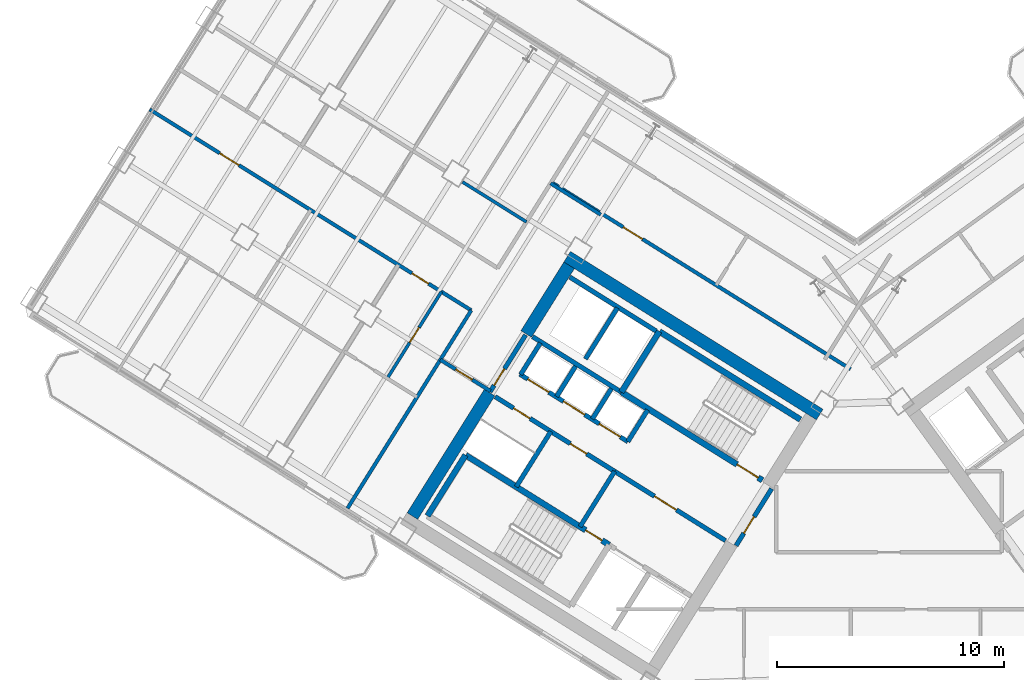
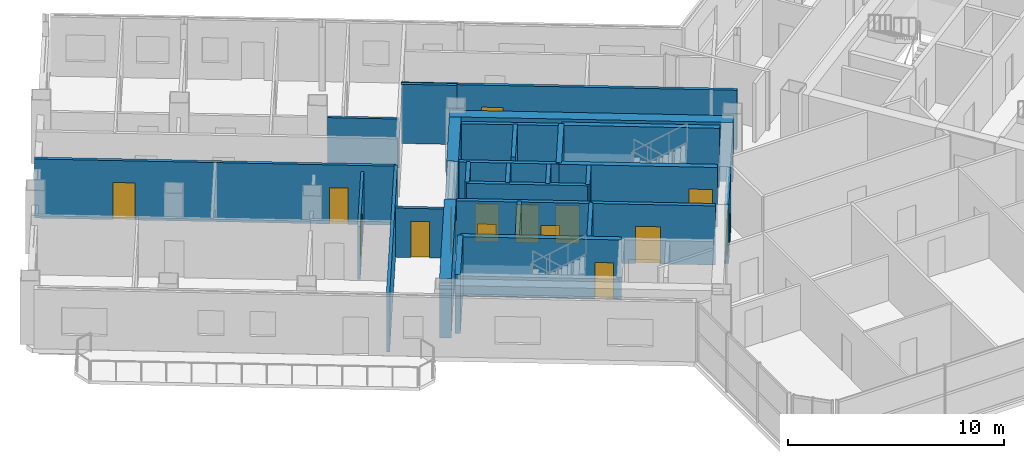
# One storey, part 12 of 21: 29 walls, 15 doors, 15 openings.
"""IFC4 building model written with IfcOpenShell, lengths in metres."""

import ifcopenshell
import ifcopenshell.guid

model = None  # the IFC model being written
_history = None  # IfcOwnerHistory: only IFC2X3 demands one
_inside = {}  # id of a spatial element -> (the spatial element, [elements in it])
_under = {}  # id of a project, library or spatial element -> (it, [spatial elements below it])
_declared = {}  # id of a project -> (the project, [libraries it declares])
_typed = {}  # id of a type object -> (the type object, [elements of that type])
_made_of = {}  # id of a material, layer set ... -> (it, [elements and type objects made of it])


def new_model(schema):
    """Start an empty IFC model of exactly this schema.

    Asked for "IFC4X3", IfcOpenShell would pick the latest addendum, in which some entities
    have other attributes; the version numbers below select the first issue.
    IFC2X3 requires an IfcOwnerHistory on every rooted entity: one is made here for all.
    """
    global model, _history
    if schema == "IFC4X3":
        model = ifcopenshell.file(schema_version=(4, 3, 0, 0))
    else:
        model = ifcopenshell.file(schema=schema)
    _inside.clear()
    _under.clear()
    _declared.clear()
    _typed.clear()
    _made_of.clear()
    _history = None
    if model.schema == "IFC2X3":
        org = make("IfcOrganization", Name="unknown")
        user = make(
            "IfcPersonAndOrganization",
            ThePerson=make("IfcPerson", FamilyName="unknown"),
            TheOrganization=org,
        )
        app = make(
            "IfcApplication",
            ApplicationDeveloper=org,
            Version="unknown",
            ApplicationFullName="unknown",
            ApplicationIdentifier="unknown",
        )
        _history = make(
            "IfcOwnerHistory",
            OwningUser=user,
            OwningApplication=app,
            ChangeAction="ADDED",
            CreationDate=0,
        )
    return model


def make(cls, **values):
    """One entity of the class cls with the attributes given. An attribute that is None is left unset."""
    return model.create_entity(
        cls, **{name: value for name, value in values.items() if value is not None}
    )


def rooted(cls, **values):
    """An entity with a GlobalId (a new one), such as an element, a storey or a relation."""
    return make(cls, GlobalId=ifcopenshell.guid.new(), OwnerHistory=_history, **values)


def si_unit(unit_type, name, prefix=None):
    """IfcSIUnit, for example si_unit("LENGTHUNIT", "METRE", prefix="MILLI")."""
    return make("IfcSIUnit", UnitType=unit_type, Prefix=prefix, Name=name)


def assignment(units):
    """IfcUnitAssignment: the units of a project."""
    return None if units is None else make("IfcUnitAssignment", Units=units)


def point(xyz):
    """IfcCartesianPoint."""
    return None if xyz is None else make("IfcCartesianPoint", Coordinates=xyz)


def direction(xyz):
    """IfcDirection."""
    return None if xyz is None else make("IfcDirection", DirectionRatios=xyz)


def frame(location, z_axis=None, x_axis=None):
    """IfcAxis2Placement3D, a coordinate frame: its origin and axes. An axis left out is left unset."""
    return make(
        "IfcAxis2Placement3D",
        Location=point(location),
        Axis=direction(z_axis),
        RefDirection=direction(x_axis),
    )


def frame_2d(location, x_axis=None):
    """IfcAxis2Placement2D, a coordinate frame in the plane: its origin and x axis."""
    return make(
        "IfcAxis2Placement2D", Location=point(location), RefDirection=direction(x_axis)
    )


def origin():
    """The frame at (0, 0, 0) with its axes left unset."""
    return frame((0.0, 0.0, 0.0))


def place(relative_to, where):
    """IfcLocalPlacement: puts the frame where relative to a parent placement (None: the world)."""
    return make(
        "IfcLocalPlacement", PlacementRelTo=relative_to, RelativePlacement=where
    )


def context(
    kind, dimensions, precision=None, world=None, true_north=None, identifier=None
):
    """IfcGeometricRepresentationContext, for example the 3D "Model" context."""
    return make(
        "IfcGeometricRepresentationContext",
        ContextIdentifier=identifier,
        ContextType=kind,
        CoordinateSpaceDimension=dimensions,
        Precision=precision,
        WorldCoordinateSystem=world,
        TrueNorth=true_north,
    )


def subcontext(parent, identifier, kind, view, scale=None):
    """IfcGeometricRepresentationSubContext, for example "Body" below "Model"."""
    return make(
        "IfcGeometricRepresentationSubContext",
        ContextIdentifier=identifier,
        ContextType=kind,
        ParentContext=parent,
        TargetScale=scale,
        TargetView=view,
    )


def project(units=None, contexts=None):
    """IfcProject with its units and contexts."""
    return rooted(
        "IfcProject",
        Name="project",
        RepresentationContexts=contexts,
        UnitsInContext=assignment(units),
    )


def spatial(cls, under=None, at=None, **own):
    """A site, building, storey or space (cls), placed at a placement, below another one or the project."""
    s = rooted(cls, ObjectPlacement=at, **own)
    if under is not None:
        _under.setdefault(under.id(), (under, []))[1].append(s)
    return s


def profile(cls, at=None, kind="AREA", **sizes):
    """A parametric profile (cls). Its sizes go by their IFC names, for example OverallWidth=200.0."""
    return make(cls, ProfileType=kind, Position=at, **sizes)


def rectangle(**sizes):
    """IfcRectangleProfileDef."""
    return profile("IfcRectangleProfileDef", **sizes)


def extrude(swept, where, along, depth):
    """IfcExtrudedAreaSolid: the profile swept, set in the frame where, extruded along a direction by depth."""
    return make(
        "IfcExtrudedAreaSolid",
        SweptArea=swept,
        Position=where,
        ExtrudedDirection=direction(along),
        Depth=depth,
    )


def shape(context_of_items, identifier, shape_type, items):
    """IfcShapeRepresentation: the items that make up one representation, for example the "Body"."""
    return make(
        "IfcShapeRepresentation",
        ContextOfItems=context_of_items,
        RepresentationIdentifier=identifier,
        RepresentationType=shape_type,
        Items=items,
    )


def source(mapping_origin, context_of_items, identifier, shape_type, items):
    """IfcRepresentationMap: a shape defined once, which mapped items show again and again."""
    return make(
        "IfcRepresentationMap",
        MappingOrigin=mapping_origin,
        MappedRepresentation=shape(context_of_items, identifier, shape_type, items),
    )


def transform(
    local_origin,
    x_axis=None,
    y_axis=None,
    z_axis=None,
    scale=None,
    scale2=None,
    scale3=None,
    uniform=True,
):
    """IfcCartesianTransformationOperator3D, or its non-uniform kind. x_axis, y_axis, z_axis: its Axis1, 2, 3."""
    if uniform:
        return make(
            "IfcCartesianTransformationOperator3D",
            Axis1=direction(x_axis),
            Axis2=direction(y_axis),
            LocalOrigin=point(local_origin),
            Scale=scale,
            Axis3=direction(z_axis),
        )
    return make(
        "IfcCartesianTransformationOperator3DnonUniform",
        Axis1=direction(x_axis),
        Axis2=direction(y_axis),
        LocalOrigin=point(local_origin),
        Scale=scale,
        Axis3=direction(z_axis),
        Scale2=scale2,
        Scale3=scale3,
    )


def mapped(mapping_source, mapping_target):
    """IfcMappedItem: shows the shape of a source again, moved by a transform."""
    return make(
        "IfcMappedItem", MappingSource=mapping_source, MappingTarget=mapping_target
    )


def material(Name=None, Category=None):
    """IfcMaterial."""
    return make("IfcMaterial", Name=Name, Category=Category)


def layer(
    of_material, thickness, ventilated=None, Name=None, Category=None, Priority=None
):
    """IfcMaterialLayer: one layer of a wall or slab, of a material (None: an air gap)."""
    return make(
        "IfcMaterialLayer",
        Material=of_material,
        LayerThickness=thickness,
        IsVentilated=ventilated,
        Name=Name,
        Category=Category,
        Priority=Priority,
    )


def layer_set(layers, Name=None):
    """IfcMaterialLayerSet."""
    return make("IfcMaterialLayerSet", MaterialLayers=layers, LayerSetName=Name)


def made_of(thing, what):
    """Note that an element or type object is made of a material, layer set ...; save() writes the relation."""
    if what is not None:
        _made_of.setdefault(what.id(), (what, []))[1].append(thing)
    return thing


def type_object(cls, material=None, **own):
    """A type object (cls), such as IfcWallType, which elements share."""
    return made_of(rooted(cls, **own), material)


def element(
    cls,
    number,
    at=None,
    inside=None,
    cuts=None,
    type_object=None,
    material=None,
    context=None,
    identifier="Body",
    shape_type=None,
    held_by="IfcProductDefinitionShape",
    body=None,
    shapes=None,
    **own,
):
    """One element of the class cls, such as IfcWall. Its Tag is "e" and its number.

    at: its placement. inside: the storey or other place that contains it. cuts: it is an
    opening in that element (IfcRelVoidsElement). A single representation is given by context,
    identifier, shape_type and body (its items); several are given by shapes. held_by: the class
    of the entity that holds the representations. save() writes the other relations.
    """
    e = rooted(cls, Tag="e%d" % number, ObjectPlacement=at, **own)
    if body is not None:
        shapes = [shape(context, identifier, shape_type, body)]
    if shapes is not None:
        e.Representation = make(held_by, Representations=shapes)
    if inside is not None:
        _inside.setdefault(inside.id(), (inside, []))[1].append(e)
    if cuts is not None:
        rooted(
            "IfcRelVoidsElement", RelatingBuildingElement=cuts, RelatedOpeningElement=e
        )
    if type_object is not None:
        _typed.setdefault(type_object.id(), (type_object, []))[1].append(e)
    return made_of(e, material)


def fill(opening, filler):
    """IfcRelFillsElement: the door or window that sits in an opening."""
    return rooted(
        "IfcRelFillsElement",
        RelatingOpeningElement=opening,
        RelatedBuildingElement=filler,
    )


def aggregate(whole, parts):
    """IfcRelAggregates: a whole, such as a stair, and the parts it consists of."""
    return rooted("IfcRelAggregates", RelatingObject=whole, RelatedObjects=parts)


def save(model, path):
    """Write the relations noted so far, then the file.

    IfcRelAggregates (storeys below a building ...), IfcRelContainedInSpatialStructure (elements
    in a storey), IfcRelDefinesByType, IfcRelAssociatesMaterial and IfcRelDeclares: one each for
    every whole, place, type object, material and project.
    """
    for whole, parts in _under.values():
        aggregate(whole, parts)
    for where, things in _inside.values():
        rooted(
            "IfcRelContainedInSpatialStructure",
            RelatedElements=things,
            RelatingStructure=where,
        )
    for kind, things in _typed.values():
        rooted("IfcRelDefinesByType", RelatedObjects=things, RelatingType=kind)
    for what, things in _made_of.values():
        rooted("IfcRelAssociatesMaterial", RelatedObjects=things, RelatingMaterial=what)
    for by, libraries in _declared.values():
        rooted("IfcRelDeclares", RelatingContext=by, RelatedDefinitions=libraries)
    model.write(path)


model = new_model("IFC4")

# Units and contexts
model_context = context("Model", 3, precision=1e-05, world=origin(), true_north=direction((0.0, 1.0)))
body_context = subcontext(model_context, "Body", "Model", "MODEL_VIEW")
ifc_project = project(units=[si_unit("LENGTHUNIT", "METRE"), si_unit("AREAUNIT", "SQUARE_METRE"), si_unit("VOLUMEUNIT", "CUBIC_METRE"), si_unit("PLANEANGLEUNIT", "RADIAN"), si_unit("MASSUNIT", "GRAM", prefix="KILO")], contexts=[model_context])

# Site, building, storey
site_placement = place(None, origin())
site = spatial("IfcSite", under=ifc_project, at=site_placement, CompositionType="ELEMENT")
building_placement = place(site_placement, origin())
building = spatial("IfcBuilding", under=site, at=building_placement, Name="Tlacorven Tower", CompositionType="ELEMENT")
storey_placement = place(building_placement, frame((0.0, 0.0, 119.699951171875)))
storey = spatial("IfcBuildingStorey", under=building, at=storey_placement, Name="L30", CompositionType="ELEMENT", Elevation=119.699951171875)

# Walls
ifc_material_1 = material(Name="Concrete C60/75", Category="concrete")
ifc_layer_1 = layer(ifc_material_1, 0.550048828125)
ifc_layer_set_1 = layer_set([ifc_layer_1], Name="Concrete C60/75")
wall_type_1 = type_object("IfcWallType", Name="WL-COR-550", PredefinedType="SHEAR", material=ifc_layer_set_1)
wall_1_placement = place(storey_placement, frame((40.572998046875, 24.010009765625, 0.0), z_axis=(0.0, 0.0, 1.0), x_axis=(-0.848047359947, 0.529920442413, 0.0)))
element("IfcWall", 1, at=wall_1_placement, inside=storey, type_object=wall_type_1, Name="L30 W core shear wall S1", PredefinedType="SHEAR", context=body_context, shape_type="SweptSolid", body=[
    extrude(rectangle(XDim=13.139892578125, YDim=0.550048828125, at=frame_2d((6.56982421875, 0.0))), origin(), (0.0, 0.0, 1.0), 3.35009765625),
])
wall_2_placement = place(storey_placement, frame((29.517333984375, 30.59423828125, 0.0), z_axis=(0.0, 0.0, 1.0), x_axis=(-0.529906864564, -0.848055844204, 0.0)))
element("IfcWall", 2, at=wall_2_placement, inside=storey, type_object=wall_type_1, Name="L30 W core end wall E2.1", PredefinedType="SHEAR", context=body_context, shape_type="SweptSolid", body=[
    extrude(rectangle(XDim=3.5751953125, YDim=0.550048828125, at=frame_2d((1.78759765625, 0.0))), origin(), (0.0, 0.0, 1.0), 3.35009765625),
])
wall_3_placement = place(storey_placement, frame((26.006591796875, 24.975830078125, 0.0), z_axis=(0.0, 0.0, 1.0), x_axis=(-0.529923795287, -0.848045264823, 0.0)))
element("IfcWall", 3, at=wall_3_placement, inside=storey, type_object=wall_type_1, Name="L30 W core end wall E2.2", PredefinedType="SHEAR", context=body_context, shape_type="SweptSolid", body=[
    extrude(rectangle(XDim=6.425048828125, YDim=0.550048828125, at=frame_2d((3.21240234375, 0.0))), origin(), (0.0, 0.0, 1.0), 3.35009765625),
])
ifc_material_2 = material(Name="Gypsum plasterboard acoustic partition", Category="gypsum")
ifc_layer_2 = layer(ifc_material_2, 0.159912109375)
ifc_layer_set_2 = layer_set([ifc_layer_2], Name="Gypsum plasterboard acoustic partition")
wall_type_2 = type_object("IfcWallType", Name="WL-DEM-160", PredefinedType="PARTITIONING", material=ifc_layer_set_2)
wall_4_placement = place(storey_placement, frame((30.91357421875, 32.82861328125, 0.0), z_axis=(0.0, 0.0, 1.0), x_axis=(-0.848008813643, 0.529982124211, 0.0)))
element("IfcWall", 4, at=wall_4_placement, inside=storey, type_object=wall_type_2, Name="L30 partition 43", PredefinedType="PARTITIONING", context=body_context, shape_type="SweptSolid", body=[
    extrude(rectangle(XDim=2.610107421875, YDim=0.159912109375, at=frame_2d((1.30517578125, 0.0))), origin(), (0.0, 0.0, 1.0), 3.340087890625),
])

# Wall, opening, door
wall_5_placement = place(storey_placement, frame((26.048828125, 25.043701171875, 0.0), z_axis=(0.0, 0.0, 1.0), x_axis=(-0.848050851465, 0.529914854792, 0.0)))
wall_5 = element("IfcWall", 5, at=wall_5_placement, inside=storey, type_object=wall_type_2, Name="L30 partition 44", PredefinedType="PARTITIONING", context=body_context, shape_type="SweptSolid", body=[
    extrude(rectangle(XDim=2.60986328125, YDim=0.159912109375, at=frame_2d((1.304931640625, 0.0))), origin(), (0.0, 0.0, 1.0), 2.775146484375),
])
opening_1_placement = place(wall_5_placement, frame((0.949951171875, 0.0, 0.0)))
opening_1 = element("IfcOpeningElement", 6, at=opening_1_placement, cuts=wall_5, Name="Opening D19", PredefinedType="OPENING", context=body_context, shape_type="SweptSolid", body=[
    extrude(rectangle(XDim=0.860107421875, YDim=2.050048828125, at=frame_2d((0.43017578125, 1.02490234375))), frame((0.0, 0.08984375, 0.0), z_axis=(0.0, -1.0, 0.0), x_axis=(1.0, 0.0, 0.0)), (0.0, 0.0, 1.0), 0.179931640625),
])
ifc_material_3 = material(Name="Fire-rated steel door assembly", Category="steel")
door_type_1 = type_object("IfcDoorType", Name="DR-RSR-FD60-0860", OperationType="NOTDEFINED", PredefinedType="DOOR", material=ifc_material_3)
shared_shape_1 = source(origin(), body_context, "Body", "SweptSolid", [
    extrude(rectangle(XDim=0.860107421875, YDim=2.050048828125, at=frame_2d((0.43017578125, 1.02490234375))), frame((0.0, 0.02490234375, 0.0), z_axis=(0.0, -1.0, 0.0), x_axis=(1.0, 0.0, 0.0)), (0.0, 0.0, 1.0), 0.050048828125),
])
door_1_placement = place(opening_1_placement, origin())
door_1 = element("IfcDoor", 7, at=door_1_placement, inside=storey, type_object=door_type_1, Name="L30 door 020", OperationType="SINGLE_SWING_RIGHT", OverallHeight=2.050048828125, OverallWidth=0.860107421875, PredefinedType="DOOR", context=body_context, shape_type="MappedRepresentation", body=[
    mapped(shared_shape_1, transform((0.0, 0.0, 0.0), scale=1.0)),
])
fill(opening_1, door_1)

# Wall
wall_6_placement = place(storey_placement, frame((25.197509765625, 28.606201171875, 0.0), z_axis=(0.0, 0.0, 1.0), x_axis=(-0.529926497642, -0.848043576178, 0.0)))
element("IfcWall", 8, at=wall_6_placement, inside=storey, type_object=wall_type_2, Name="L30 partition 46", PredefinedType="PARTITIONING", context=body_context, shape_type="SweptSolid", body=[
    extrude(rectangle(XDim=10.300048828125, YDim=0.159912109375, at=frame_2d((5.14990234375, 0.0))), origin(), (0.0, 0.0, 1.0), 3.340087890625),
])

# Wall, openings, doors
wall_7_placement = place(storey_placement, frame((25.197509765625, 28.606201171875, 0.0), z_axis=(0.0, 0.0, 1.0), x_axis=(-0.848052408131, 0.529912363569, 0.0)))
wall_7 = element("IfcWall", 9, at=wall_7_placement, inside=storey, type_object=wall_type_2, Name="L30 Wing W Corridor North Wall", PredefinedType="PARTITIONING", context=body_context, shape_type="SweptSolid", body=[
    extrude(rectangle(XDim=16.72998046875, YDim=0.159912109375, at=frame_2d((8.364990234375, 0.0))), origin(), (0.0, 0.0, 1.0), 3.340087890625),
])
opening_2_placement = place(wall_7_placement, frame((2.219970703125, 0.0, 0.0)))
opening_2 = element("IfcOpeningElement", 10, at=opening_2_placement, cuts=wall_7, Name="Opening D19", PredefinedType="OPENING", context=body_context, shape_type="SweptSolid", body=[
    extrude(rectangle(XDim=0.860107421875, YDim=2.050048828125, at=frame_2d((0.43017578125, 1.02490234375))), frame((0.0, 0.08984375, 0.0), z_axis=(0.0, -1.0, 0.0), x_axis=(1.0, 0.0, 0.0)), (0.0, 0.0, 1.0), 0.179931640625),
])
opening_3_placement = place(wall_7_placement, frame((12.083984375, 0.0, 0.0)))
opening_3 = element("IfcOpeningElement", 11, at=opening_3_placement, cuts=wall_7, Name="Opening D11", PredefinedType="OPENING", context=body_context, shape_type="SweptSolid", body=[
    extrude(rectangle(XDim=1.0, YDim=2.10009765625, at=frame_2d((0.5, 1.050048828125))), frame((0.0, 0.08984375, 0.0), z_axis=(0.0, -1.0, 0.0), x_axis=(1.0, 0.0, 0.0)), (0.0, 0.0, 1.0), 0.179931640625),
])
door_2_placement = place(opening_2_placement, origin())
door_2 = element("IfcDoor", 12, at=door_2_placement, inside=storey, type_object=door_type_1, Name="L30 door 022", OperationType="SINGLE_SWING_LEFT", OverallHeight=2.050048828125, OverallWidth=0.860107421875, PredefinedType="DOOR", context=body_context, shape_type="MappedRepresentation", body=[
    mapped(shared_shape_1, transform((0.0, 0.0, 0.0), scale=1.0)),
])
fill(opening_2, door_2)
door_type_2 = type_object("IfcDoorType", Name="DR-FLT-FD60-1000", OperationType="NOTDEFINED", PredefinedType="DOOR", material=ifc_material_3)
shared_shape_2 = source(origin(), body_context, "Body", "SweptSolid", [
    extrude(rectangle(XDim=1.0, YDim=2.10009765625, at=frame_2d((0.5, 1.050048828125))), frame((0.0, 0.02490234375, 0.0), z_axis=(0.0, -1.0, 0.0), x_axis=(1.0, 0.0, 0.0)), (0.0, 0.0, 1.0), 0.050048828125),
])
door_3_placement = place(opening_3_placement, origin())
door_3 = element("IfcDoor", 13, at=door_3_placement, inside=storey, type_object=door_type_2, Name="L30 door 026", OperationType="SINGLE_SWING_LEFT", OverallHeight=2.10009765625, OverallWidth=1.0, PredefinedType="DOOR", context=body_context, shape_type="MappedRepresentation", body=[
    mapped(shared_shape_2, transform((0.0, 0.0, 0.0), scale=1.0)),
])
fill(opening_3, door_3)

# Wall, opening, door
wall_8_placement = place(storey_placement, frame((41.93603515625, 26.011962890625, 0.0), z_axis=(0.0, 0.0, 1.0), x_axis=(-0.848051154596, 0.529914369676, 0.0)))
wall_8 = element("IfcWall", 14, at=wall_8_placement, inside=storey, type_object=wall_type_2, Name="L30 partition 66", PredefinedType="PARTITIONING", context=body_context, shape_type="SweptSolid", body=[
    extrude(rectangle(XDim=15.56982421875, YDim=0.159912109375, at=frame_2d((7.784912109375, 0.0))), origin(), (0.0, 0.0, 1.0), 3.340087890625),
])
opening_4_placement = place(wall_8_placement, frame((10.830078125, 0.0, 0.0)))
opening_4 = element("IfcOpeningElement", 15, at=opening_4_placement, cuts=wall_8, Name="Opening D11", PredefinedType="OPENING", context=body_context, shape_type="SweptSolid", body=[
    extrude(rectangle(XDim=1.0, YDim=2.10009765625, at=frame_2d((0.5, 1.050048828125))), frame((0.0, 0.08984375, 0.0), z_axis=(0.0, -1.0, 0.0), x_axis=(1.0, 0.0, 0.0)), (0.0, 0.0, 1.0), 0.179931640625),
])
door_4_placement = place(opening_4_placement, origin())
door_4 = element("IfcDoor", 16, at=door_4_placement, inside=storey, type_object=door_type_2, Name="L30 door 040", OperationType="SINGLE_SWING_LEFT", OverallHeight=2.10009765625, OverallWidth=1.0, PredefinedType="DOOR", context=body_context, shape_type="MappedRepresentation", body=[
    mapped(shared_shape_2, transform((0.0, 0.0, 0.0), scale=1.0)),
])
fill(opening_4, door_4)

ifc_material_4 = material(Name="Moisture-resistant gypsum plumbing wall", Category="gypsum")
ifc_layer_3 = layer(ifc_material_4, 0.139892578125)
ifc_layer_set_3 = layer_set([ifc_layer_3], Name="Moisture-resistant gypsum plumbing wall")
wall_type_3 = type_object("IfcWallType", Name="WL-PLM-140", PredefinedType="PLUMBINGWALL", material=ifc_layer_set_3)
wall_9_placement = place(storey_placement, frame((23.883056640625, 29.427490234375, 0.0), z_axis=(0.0, 0.0, 1.0), x_axis=(-0.529950281337, -0.84802871373, 0.0)))
wall_9 = element("IfcWall", 17, at=wall_9_placement, inside=storey, type_object=wall_type_3, Name="L30 partition 52", PredefinedType="PLUMBINGWALL", context=body_context, shape_type="SweptSolid", body=[
    extrude(rectangle(XDim=4.510009765625, YDim=0.139892578125, at=frame_2d((2.2548828125, 0.0))), origin(), (0.0, 0.0, 1.0), 2.9951171875),
])
opening_5_placement = place(wall_9_placement, frame((1.864990234375, 0.0, 0.0)))
opening_5 = element("IfcOpeningElement", 18, at=opening_5_placement, cuts=wall_9, Name="Opening D22", PredefinedType="OPENING", context=body_context, shape_type="SweptSolid", body=[
    extrude(rectangle(XDim=0.780029296875, YDim=2.050048828125, at=frame_2d((0.39013671875, 1.02490234375))), frame((0.0, 0.080078125, 0.0), z_axis=(0.0, -1.0, 0.0), x_axis=(1.0, 0.0, 0.0)), (0.0, 0.0, 1.0), 0.159912109375),
])
ifc_material_5 = material(Name="Powder-coated aluminium and timber door", Category="wood")
door_type_3 = type_object("IfcDoorType", Name="DR-INT-WET-0780", OperationType="NOTDEFINED", PredefinedType="DOOR", material=ifc_material_5)
shared_shape_3 = source(origin(), body_context, "Body", "SweptSolid", [
    extrude(rectangle(XDim=0.780029296875, YDim=2.050048828125, at=frame_2d((0.39013671875, 1.02490234375))), frame((0.0, 0.02490234375, 0.0), z_axis=(0.0, -1.0, 0.0), x_axis=(1.0, 0.0, 0.0)), (0.0, 0.0, 1.0), 0.050048828125),
])
door_5_placement = place(opening_5_placement, origin())
door_5 = element("IfcDoor", 19, at=door_5_placement, inside=storey, type_object=door_type_3, Name="L30 door 024", OperationType="SINGLE_SWING_LEFT", OverallHeight=2.050048828125, OverallWidth=0.780029296875, PredefinedType="DOOR", context=body_context, shape_type="MappedRepresentation", body=[
    mapped(shared_shape_3, transform((0.0, 0.0, 0.0), scale=1.0)),
])
fill(opening_5, door_5)

# Wall
wall_10_placement = place(storey_placement, frame((27.635009765625, 32.50732421875, 0.0), z_axis=(0.0, 0.0, 1.0), x_axis=(-0.848064240775, 0.529893426567, 0.0)))
element("IfcWall", 20, at=wall_10_placement, inside=storey, type_object=wall_type_3, Name="L30 partition 60", PredefinedType="PLUMBINGWALL", context=body_context, shape_type="SweptSolid", body=[
    extrude(rectangle(XDim=3.327880859375, YDim=0.139892578125, at=frame_2d((1.6640625, 0.0))), origin(), (0.0, 0.0, 1.0), 2.775146484375),
])

# Wall, opening, door
ifc_material_6 = material(Name="Concrete C40/50", Category="concrete")
ifc_layer_4 = layer(ifc_material_6, 0.199951171875)
ifc_layer_set_4 = layer_set([ifc_layer_4], Name="Concrete C40/50")
wall_type_4 = type_object("IfcWallType", Name="WL-SHF-200", PredefinedType="STANDARD", material=ifc_layer_set_4)
wall_11_placement = place(storey_placement, frame((36.416748046875, 18.447265625, 0.0), z_axis=(0.0, 0.0, 1.0), x_axis=(-0.848064879198, 0.529892404805, 0.0)))
wall_11 = element("IfcWall", 21, at=wall_11_placement, inside=storey, type_object=wall_type_4, Name="L30 Core W Smoke Lobby Wall", PredefinedType="STANDARD", context=body_context, shape_type="SweptSolid", body=[
    extrude(rectangle(XDim=5.76806640625, YDim=0.199951171875, at=frame_2d((2.884033203125, 0.0))), origin(), (0.0, 0.0, 1.0), 3.340087890625),
])
opening_6_placement = place(wall_11_placement, frame((2.548095703125, 0.0, 0.0)))
opening_6 = element("IfcOpeningElement", 22, at=opening_6_placement, cuts=wall_11, Name="Opening D09", PredefinedType="OPENING", context=body_context, shape_type="SweptSolid", body=[
    extrude(rectangle(XDim=1.14990234375, YDim=2.10009765625, at=frame_2d((0.574951171875, 1.050048828125))), frame((0.0, 0.10986328125, 0.0), z_axis=(0.0, -1.0, 0.0), x_axis=(1.0, 0.0, 0.0)), (0.0, 0.0, 1.0), 0.219970703125),
])
door_type_4 = type_object("IfcDoorType", Name="DR-FFL-FD60-1150", OperationType="NOTDEFINED", PredefinedType="DOOR", material=ifc_material_3)
shared_shape_4 = source(origin(), body_context, "Body", "SweptSolid", [
    extrude(rectangle(XDim=1.14990234375, YDim=2.10009765625, at=frame_2d((0.574951171875, 1.050048828125))), frame((0.0, 0.02490234375, 0.0), z_axis=(0.0, -1.0, 0.0), x_axis=(1.0, 0.0, 0.0)), (0.0, 0.0, 1.0), 0.050048828125),
])
door_6_placement = place(opening_6_placement, origin())
door_6 = element("IfcDoor", 23, at=door_6_placement, inside=storey, type_object=door_type_4, Name="L30 Firefighting Lobby W Fire Door", OperationType="SINGLE_SWING_RIGHT", OverallHeight=2.10009765625, OverallWidth=1.14990234375, PredefinedType="DOOR", context=body_context, shape_type="MappedRepresentation", body=[
    mapped(shared_shape_4, transform((0.0, 0.0, 0.0), scale=1.0)),
])
fill(opening_6, door_6)

# Wall
wall_12_placement = place(storey_placement, frame((31.82177734375, 24.99755859375, 0.0), z_axis=(0.0, 0.0, 1.0), x_axis=(-0.848036912365, 0.52993716162, 0.0)))
element("IfcWall", 24, at=wall_12_placement, inside=storey, type_object=wall_type_4, Name="L30 Core W South Lift Shaft Wall", PredefinedType="STANDARD", context=body_context, shape_type="SweptSolid", body=[
    extrude(rectangle(XDim=4.617919921875, YDim=0.199951171875, at=frame_2d((2.30908203125, 0.0))), origin(), (0.0, 0.0, 1.0), 3.340087890625),
])

# Wall, openings, doors
wall_13_placement = place(storey_placement, frame((32.108154296875, 22.81396484375, 0.0), z_axis=(0.0, 0.0, 1.0), x_axis=(-0.848042229521, 0.529928652696, 0.0)))
wall_13 = element("IfcWall", 25, at=wall_13_placement, inside=storey, type_object=wall_type_4, Name="L30 partition 11", PredefinedType="STANDARD", context=body_context, shape_type="SweptSolid", body=[
    extrude(rectangle(XDim=5.6201171875, YDim=0.199951171875, at=frame_2d((2.81005859375, 0.0))), origin(), (0.0, 0.0, 1.0), 3.340087890625),
])
opening_7_placement = place(wall_13_placement, frame((0.389892578125, 0.0, 0.0)))
opening_7 = element("IfcOpeningElement", 26, at=opening_7_placement, cuts=wall_13, Name="Opening LD01", PredefinedType="OPENING", context=body_context, shape_type="SweptSolid", body=[
    extrude(rectangle(XDim=1.10009765625, YDim=2.14990234375, at=frame_2d((0.550048828125, 1.074951171875))), frame((0.0, 0.10986328125, 0.0), z_axis=(0.0, -1.0, 0.0), x_axis=(1.0, 0.0, 0.0)), (0.0, 0.0, 1.0), 0.219970703125),
])
opening_8_placement = place(wall_13_placement, frame((2.25, 0.0, 0.0)))
opening_8 = element("IfcOpeningElement", 27, at=opening_8_placement, cuts=wall_13, Name="Opening LD01", PredefinedType="OPENING", context=body_context, shape_type="SweptSolid", body=[
    extrude(rectangle(XDim=1.10009765625, YDim=2.14990234375, at=frame_2d((0.550048828125, 1.074951171875))), frame((0.0, 0.10986328125, 0.0), z_axis=(0.0, -1.0, 0.0), x_axis=(1.0, 0.0, 0.0)), (0.0, 0.0, 1.0), 0.219970703125),
])
opening_9_placement = place(wall_13_placement, frame((4.110107421875, 0.0, 0.0)))
opening_9 = element("IfcOpeningElement", 28, at=opening_9_placement, cuts=wall_13, Name="Opening LD01", PredefinedType="OPENING", context=body_context, shape_type="SweptSolid", body=[
    extrude(rectangle(XDim=1.10009765625, YDim=2.14990234375, at=frame_2d((0.550048828125, 1.074951171875))), frame((0.0, 0.10986328125, 0.0), z_axis=(0.0, -1.0, 0.0), x_axis=(1.0, 0.0, 0.0)), (0.0, 0.0, 1.0), 0.219970703125),
])
door_type_5 = type_object("IfcDoorType", Name="DR-LFT-SLID-1100", OperationType="DOUBLE_DOOR_SLIDING", PredefinedType="DOOR", material=ifc_material_3)
shared_shape_5 = source(origin(), body_context, "Body", "SweptSolid", [
    extrude(rectangle(XDim=1.10009765625, YDim=2.14990234375, at=frame_2d((0.550048828125, 1.074951171875))), frame((0.0, 0.02490234375, 0.0), z_axis=(0.0, -1.0, 0.0), x_axis=(1.0, 0.0, 0.0)), (0.0, 0.0, 1.0), 0.050048828125),
])
door_7_placement = place(opening_7_placement, origin())
door_7 = element("IfcDoor", 29, at=door_7_placement, inside=storey, type_object=door_type_5, Name="L30 Lift PL-M1 Sliding Landing Door", OperationType="DOUBLE_DOOR_SLIDING", OverallHeight=2.14990234375, OverallWidth=1.10009765625, PredefinedType="DOOR", context=body_context, shape_type="MappedRepresentation", body=[
    mapped(shared_shape_5, transform((0.0, 0.0, 0.0), scale=1.0)),
])
fill(opening_7, door_7)
door_8_placement = place(opening_8_placement, origin())
door_8 = element("IfcDoor", 30, at=door_8_placement, inside=storey, type_object=door_type_5, Name="L30 Lift PL-M2 Sliding Landing Door", OperationType="DOUBLE_DOOR_SLIDING", OverallHeight=2.14990234375, OverallWidth=1.10009765625, PredefinedType="DOOR", context=body_context, shape_type="MappedRepresentation", body=[
    mapped(shared_shape_5, transform((0.0, 0.0, 0.0), scale=1.0)),
])
fill(opening_8, door_8)
door_9_placement = place(opening_9_placement, origin())
door_9 = element("IfcDoor", 31, at=door_9_placement, inside=storey, type_object=door_type_5, Name="L30 Lift PL-M3 Sliding Landing Door", OperationType="DOUBLE_DOOR_SLIDING", OverallHeight=2.14990234375, OverallWidth=1.10009765625, PredefinedType="DOOR", context=body_context, shape_type="MappedRepresentation", body=[
    mapped(shared_shape_5, transform((0.0, 0.0, 0.0), scale=1.0)),
])
fill(opening_9, door_9)

# Walls
wall_14_placement = place(storey_placement, frame((32.982421875, 24.21337890625, 0.0), z_axis=(0.0, 0.0, 1.0), x_axis=(-0.529839334948, -0.84809803628, 0.0)))
element("IfcWall", 32, at=wall_14_placement, inside=storey, type_object=wall_type_4, Name="L30 partition 12", PredefinedType="STANDARD", context=body_context, shape_type="SweptSolid", body=[
    extrude(rectangle(XDim=1.650146484375, YDim=0.199951171875, at=frame_2d((0.8251953125, 0.0))), origin(), (0.0, 0.0, 1.0), 3.340087890625),
])
wall_15_placement = place(storey_placement, frame((28.250244140625, 27.170166015625, 0.0), z_axis=(0.0, 0.0, 1.0), x_axis=(-0.529905827651, -0.848056492117, 0.0)))
element("IfcWall", 33, at=wall_15_placement, inside=storey, type_object=wall_type_4, Name="L30 partition 13", PredefinedType="STANDARD", context=body_context, shape_type="SweptSolid", body=[
    extrude(rectangle(XDim=1.64990234375, YDim=0.199951171875, at=frame_2d((0.824951171875, 0.0))), origin(), (0.0, 0.0, 1.0), 3.340087890625),
])
wall_16_placement = place(storey_placement, frame((31.645263671875, 28.716064453125, 0.0), z_axis=(0.0, 0.0, 1.0), x_axis=(-0.52986693015, -0.848080795876, 0.0)))
element("IfcWall", 34, at=wall_16_placement, inside=storey, type_object=wall_type_4, Name="L30 partition 15", PredefinedType="STANDARD", context=body_context, shape_type="SweptSolid", body=[
    extrude(rectangle(XDim=2.659912109375, YDim=0.199951171875, at=frame_2d((1.330078125, 0.0))), origin(), (0.0, 0.0, 1.0), 3.340087890625),
])
wall_17_placement = place(storey_placement, frame((33.362548828125, 27.690185546875, 0.0), z_axis=(0.0, 0.0, 1.0), x_axis=(-0.848047090064, 0.529920874315, 0.0)))
element("IfcWall", 35, at=wall_17_placement, inside=storey, type_object=wall_type_4, Name="L30 partition 17", PredefinedType="STANDARD", context=body_context, shape_type="SweptSolid", body=[
    extrude(rectangle(XDim=4.498046875, YDim=0.199951171875, at=frame_2d((2.2490234375, 0.0))), origin(), (0.0, 0.0, 1.0), 3.340087890625),
])
for number, where, z_axis, x_axis, name in (
    (36, (31.378662109375, 25.156494140625, 0.0), (0.0, 0.0, 1.0), (-0.529998940003, -0.847998304005, 0.0), "L30 partition 18"),
    (37, (29.80126953125, 26.14208984375, 0.0), (0.0, 0.0, 1.0), (-0.529998940003, -0.847998304005, 0.0), "L30 partition 19"),
):
    element("IfcWall", number, at=place(storey_placement, frame(where, z_axis=z_axis, x_axis=x_axis)), inside=storey, type_object=wall_type_4, Name=name, PredefinedType="STANDARD", context=body_context, shape_type="SweptSolid", body=[
        extrude(rectangle(XDim=1.580078125, YDim=0.199951171875, at=frame_2d((0.7900390625, 0.0))), origin(), (0.0, 0.0, 1.0), 3.340087890625),
    ])
for number, where, z_axis, x_axis, name in (
    (38, (31.525146484375, 21.503662109375, 0.0), (0.0, 0.0, 1.0), (-0.529907497854, -0.848055448493, 0.0), "L30 partition 20"),
    (39, (28.709716796875, 23.26318359375, 0.0), (0.0, 0.0, 1.0), (-0.529907497854, -0.848055448493, 0.0), "L30 partition 21"),
):
    element("IfcWall", number, at=place(storey_placement, frame(where, z_axis=z_axis, x_axis=x_axis)), inside=storey, type_object=wall_type_4, Name=name, PredefinedType="STANDARD", context=body_context, shape_type="SweptSolid", body=[
        extrude(rectangle(XDim=2.8798828125, YDim=0.199951171875, at=frame_2d((1.43994140625, 0.0))), origin(), (0.0, 0.0, 1.0), 3.340087890625),
    ])

# Wall, openings, doors
wall_18_placement = place(storey_placement, frame((31.525146484375, 21.503662109375, 0.0), z_axis=(0.0, 0.0, 1.0), x_axis=(-0.848040211232, 0.529931882541, 0.0)))
wall_18 = element("IfcWall", 40, at=wall_18_placement, inside=storey, type_object=wall_type_4, Name="L30 Core W North Service Wall", PredefinedType="STANDARD", context=body_context, shape_type="SweptSolid", body=[
    extrude(rectangle(XDim=6.218017578125, YDim=0.199951171875, at=frame_2d((3.10888671875, 0.0))), origin(), (0.0, 0.0, 1.0), 3.340087890625),
])
opening_10_placement = place(wall_18_placement, frame((4.39990234375, 0.0, 0.0)))
opening_10 = element("IfcOpeningElement", 41, at=opening_10_placement, cuts=wall_18, Name="Opening D19", PredefinedType="OPENING", context=body_context, shape_type="SweptSolid", body=[
    extrude(rectangle(XDim=0.860107421875, YDim=2.050048828125, at=frame_2d((0.43017578125, 1.02490234375))), frame((0.0, 0.10986328125, 0.0), z_axis=(0.0, -1.0, 0.0), x_axis=(1.0, 0.0, 0.0)), (0.0, 0.0, 1.0), 0.219970703125),
])
opening_11_placement = place(wall_18_placement, frame((1.449951171875, 0.0, 0.0)))
opening_11 = element("IfcOpeningElement", 42, at=opening_11_placement, cuts=wall_18, Name="Opening D19", PredefinedType="OPENING", context=body_context, shape_type="SweptSolid", body=[
    extrude(rectangle(XDim=0.860107421875, YDim=2.050048828125, at=frame_2d((0.43017578125, 1.02490234375))), frame((0.0, 0.10986328125, 0.0), z_axis=(0.0, -1.0, 0.0), x_axis=(1.0, 0.0, 0.0)), (0.0, 0.0, 1.0), 0.219970703125),
])
door_10_placement = place(opening_10_placement, frame((0.860107421875, 0.0, 0.0), z_axis=(0.0, 0.0, 1.0), x_axis=(-1.0, 0.0, 0.0)))
door_10 = element("IfcDoor", 43, at=door_10_placement, inside=storey, type_object=door_type_1, Name="L30 Electrical Riser Access Door W", OperationType="SINGLE_SWING_LEFT", OverallHeight=2.050048828125, OverallWidth=0.860107421875, PredefinedType="DOOR", context=body_context, shape_type="MappedRepresentation", body=[
    mapped(shared_shape_1, transform((0.0, 0.0, 0.0), scale=1.0)),
])
fill(opening_10, door_10)
door_11_placement = place(opening_11_placement, frame((0.860107421875, 0.0, 0.0), z_axis=(0.0, 0.0, 1.0), x_axis=(-1.0, 0.0, 0.0)))
door_11 = element("IfcDoor", 44, at=door_11_placement, inside=storey, type_object=door_type_1, Name="L30 Housekeeping Linen Access Door W", OperationType="SINGLE_SWING_RIGHT", OverallHeight=2.050048828125, OverallWidth=0.860107421875, PredefinedType="DOOR", context=body_context, shape_type="MappedRepresentation", body=[
    mapped(shared_shape_1, transform((0.0, 0.0, 0.0), scale=1.0)),
])
fill(opening_11, door_11)

# Wall, opening, door
wall_19_placement = place(storey_placement, frame((27.59619140625, 27.52001953125, 0.0), z_axis=(0.0, 0.0, 1.0), x_axis=(-0.529865479138, -0.848081702443, 0.0)))
wall_19 = element("IfcWall", 45, at=wall_19_placement, inside=storey, type_object=wall_type_4, Name="L30 partition 42", PredefinedType="STANDARD", context=body_context, shape_type="SweptSolid", body=[
    extrude(rectangle(XDim=2.9599609375, YDim=0.199951171875, at=frame_2d((1.47998046875, 0.0))), origin(), (0.0, 0.0, 1.0), 3.340087890625),
])
opening_12_placement = place(wall_19_placement, frame((1.760009765625, 0.0, 0.0)))
opening_12 = element("IfcOpeningElement", 46, at=opening_12_placement, cuts=wall_19, Name="Opening D19", PredefinedType="OPENING", context=body_context, shape_type="SweptSolid", body=[
    extrude(rectangle(XDim=0.860107421875, YDim=2.050048828125, at=frame_2d((0.43017578125, 1.02490234375))), frame((0.0, 0.10986328125, 0.0), z_axis=(0.0, -1.0, 0.0), x_axis=(1.0, 0.0, 0.0)), (0.0, 0.0, 1.0), 0.219970703125),
])
door_12_placement = place(opening_12_placement, origin())
door_12 = element("IfcDoor", 47, at=door_12_placement, inside=storey, type_object=door_type_1, Name="L30 door 021", OperationType="SINGLE_SWING_LEFT", OverallHeight=2.050048828125, OverallWidth=0.860107421875, PredefinedType="DOOR", context=body_context, shape_type="MappedRepresentation", body=[
    mapped(shared_shape_1, transform((0.0, 0.0, 0.0), scale=1.0)),
])
fill(opening_12, door_12)

wall_20_placement = place(storey_placement, frame((38.451416015625, 20.737060546875, 0.0), z_axis=(0.0, 0.0, 1.0), x_axis=(-0.529924799939, -0.848044637038, 0.0)))
wall_20 = element("IfcWall", 48, at=wall_20_placement, inside=storey, type_object=wall_type_4, Name="L30 partition 70", PredefinedType="STANDARD", context=body_context, shape_type="SweptSolid", body=[
    extrude(rectangle(XDim=2.9599609375, YDim=0.199951171875, at=frame_2d((1.47998046875, 0.0))), origin(), (0.0, 0.0, 1.0), 3.340087890625),
])
opening_13_placement = place(wall_20_placement, frame((1.4599609375, 0.0, 0.0)))
opening_13 = element("IfcOpeningElement", 49, at=opening_13_placement, cuts=wall_20, Name="Opening D19", PredefinedType="OPENING", context=body_context, shape_type="SweptSolid", body=[
    extrude(rectangle(XDim=0.860107421875, YDim=2.050048828125, at=frame_2d((0.43017578125, 1.02490234375))), frame((0.0, 0.10986328125, 0.0), z_axis=(0.0, -1.0, 0.0), x_axis=(1.0, 0.0, 0.0)), (0.0, 0.0, 1.0), 0.219970703125),
])
door_13_placement = place(opening_13_placement, frame((0.860107421875, 0.0, 0.0), z_axis=(0.0, 0.0, 1.0), x_axis=(-1.0, 0.0, 0.0)))
door_13 = element("IfcDoor", 50, at=door_13_placement, inside=storey, type_object=door_type_1, Name="L30 door 044", OperationType="SINGLE_SWING_LEFT", OverallHeight=2.050048828125, OverallWidth=0.860107421875, PredefinedType="DOOR", context=body_context, shape_type="MappedRepresentation", body=[
    mapped(shared_shape_1, transform((0.0, 0.0, 0.0), scale=1.0)),
])
fill(opening_13, door_13)

ifc_material_7 = material(Name="Concrete C50/60", Category="concrete")
ifc_layer_5 = layer(ifc_material_7, 0.260009765625)
ifc_layer_set_5 = layer_set([ifc_layer_5], Name="Concrete C50/60")
wall_type_5 = type_object("IfcWallType", Name="WL-STW-260", PredefinedType="SHEAR", material=ifc_layer_set_5)
wall_21_placement = place(storey_placement, frame((31.279541015625, 18.26123046875, 0.0), z_axis=(0.0, 0.0, 1.0), x_axis=(-0.848051618787, 0.529913626805, 0.0)))
wall_21 = element("IfcWall", 51, at=wall_21_placement, inside=storey, type_object=wall_type_5, Name="L30 Stair W1 Lobby Shear Wall", PredefinedType="SHEAR", context=body_context, shape_type="SweptSolid", body=[
    extrude(rectangle(XDim=7.4599609375, YDim=0.260009765625, at=frame_2d((3.72998046875, 0.0))), origin(), (0.0, 0.0, 1.0), 3.35009765625),
])
opening_14_placement = place(wall_21_placement, frame((0.360107421875, 0.0, 0.0)))
opening_14 = element("IfcOpeningElement", 52, at=opening_14_placement, cuts=wall_21, Name="Opening D19", PredefinedType="OPENING", context=body_context, shape_type="SweptSolid", body=[
    extrude(rectangle(XDim=0.860107421875, YDim=2.050048828125, at=frame_2d((0.43017578125, 1.02490234375))), frame((0.0, 0.14013671875, 0.0), z_axis=(0.0, -1.0, 0.0), x_axis=(1.0, 0.0, 0.0)), (0.0, 0.0, 1.0), 0.280029296875),
])
door_14_placement = place(opening_14_placement, frame((0.860107421875, 0.0, 0.0), z_axis=(0.0, 0.0, 1.0), x_axis=(-1.0, 0.0, 0.0)))
door_14 = element("IfcDoor", 53, at=door_14_placement, inside=storey, type_object=door_type_1, Name="L30 Exit Stair W1 Fire Door", OperationType="SINGLE_SWING_LEFT", OverallHeight=2.050048828125, OverallWidth=0.860107421875, PredefinedType="DOOR", context=body_context, shape_type="MappedRepresentation", body=[
    mapped(shared_shape_1, transform((0.0, 0.0, 0.0), scale=1.0)),
])
fill(opening_14, door_14)

# Walls
wall_22_placement = place(storey_placement, frame((24.944580078125, 22.2197265625, 0.0), z_axis=(0.0, 0.0, 1.0), x_axis=(-0.529908658664, -0.84805472316, 0.0)))
element("IfcWall", 54, at=wall_22_placement, inside=storey, type_object=wall_type_5, Name="L30 Stair W1 East Shear Wall", PredefinedType="SHEAR", context=body_context, shape_type="SweptSolid", body=[
    extrude(rectangle(XDim=3.16015625, YDim=0.260009765625, at=frame_2d((1.580078125, 0.0))), origin(), (0.0, 0.0, 1.0), 3.35009765625),
])
wall_23_placement = place(storey_placement, frame((39.720947265625, 23.787841796875, 0.0), z_axis=(0.0, 0.0, 1.0), x_axis=(-0.848054434086, 0.529909121291, 0.0)))
element("IfcWall", 55, at=wall_23_placement, inside=storey, type_object=wall_type_5, Name="L30 Stair W2 Far Shear Wall", PredefinedType="SHEAR", context=body_context, shape_type="SweptSolid", body=[
    extrude(rectangle(XDim=7.330078125, YDim=0.260009765625, at=frame_2d((3.6650390625, 0.0))), origin(), (0.0, 0.0, 1.0), 3.35009765625),
])

# Wall, opening, door
wall_24_placement = place(storey_placement, frame((38.04638671875, 21.10791015625, 0.0), z_axis=(0.0, 0.0, 1.0), x_axis=(-0.848054434086, 0.529909121291, 0.0)))
wall_24 = element("IfcWall", 56, at=wall_24_placement, inside=storey, type_object=wall_type_5, Name="L30 Stair W2 Lobby Shear Wall", PredefinedType="SHEAR", context=body_context, shape_type="SweptSolid", body=[
    extrude(rectangle(XDim=7.330078125, YDim=0.260009765625, at=frame_2d((3.6650390625, 0.0))), origin(), (0.0, 0.0, 1.0), 3.35009765625),
])
opening_15_placement = place(wall_24_placement, frame((0.219970703125, 0.0, 0.0)))
opening_15 = element("IfcOpeningElement", 57, at=opening_15_placement, cuts=wall_24, Name="Opening D07", PredefinedType="OPENING", context=body_context, shape_type="SweptSolid", body=[
    extrude(rectangle(XDim=1.10009765625, YDim=2.10009765625, at=frame_2d((0.550048828125, 1.050048828125))), frame((0.0, 0.14013671875, 0.0), z_axis=(0.0, -1.0, 0.0), x_axis=(1.0, 0.0, 0.0)), (0.0, 0.0, 1.0), 0.280029296875),
])
door_type_6 = type_object("IfcDoorType", Name="DR-STR-FD90-1100", OperationType="NOTDEFINED", PredefinedType="DOOR", material=ifc_material_3)
shared_shape_6 = source(origin(), body_context, "Body", "SweptSolid", [
    extrude(rectangle(XDim=1.10009765625, YDim=2.10009765625, at=frame_2d((0.550048828125, 1.050048828125))), frame((0.0, 0.02490234375, 0.0), z_axis=(0.0, -1.0, 0.0), x_axis=(1.0, 0.0, 0.0)), (0.0, 0.0, 1.0), 0.050048828125),
])
door_15_placement = place(opening_15_placement, origin())
door_15 = element("IfcDoor", 58, at=door_15_placement, inside=storey, type_object=door_type_6, Name="L30 Exit Stair W2 Fire Door", OperationType="SINGLE_SWING_LEFT", OverallHeight=2.10009765625, OverallWidth=1.10009765625, PredefinedType="DOOR", context=body_context, shape_type="MappedRepresentation", body=[
    mapped(shared_shape_6, transform((0.0, 0.0, 0.0), scale=1.0)),
])
fill(opening_15, door_15)

# Wall
wall_25_placement = place(storey_placement, frame((33.496337890625, 27.677490234375, 0.0), z_axis=(0.0, 0.0, 1.0), x_axis=(-0.529908658664, -0.84805472316, 0.0)))
element("IfcWall", 59, at=wall_25_placement, inside=storey, type_object=wall_type_5, Name="L30 Stair W2 East Shear Wall", PredefinedType="SHEAR", context=body_context, shape_type="SweptSolid", body=[
    extrude(rectangle(XDim=3.16015625, YDim=0.260009765625, at=frame_2d((1.580078125, 0.0))), origin(), (0.0, 0.0, 1.0), 3.35009765625),
])

save(model, "model.ifc")
